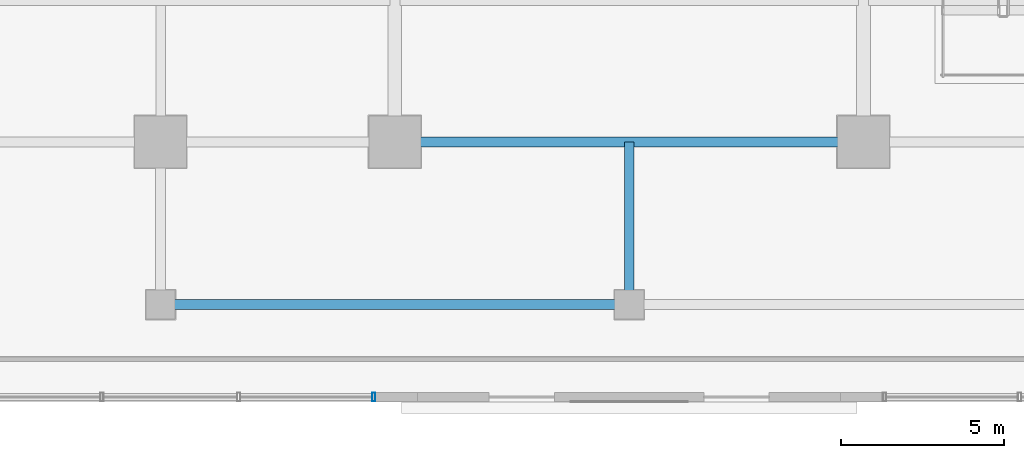
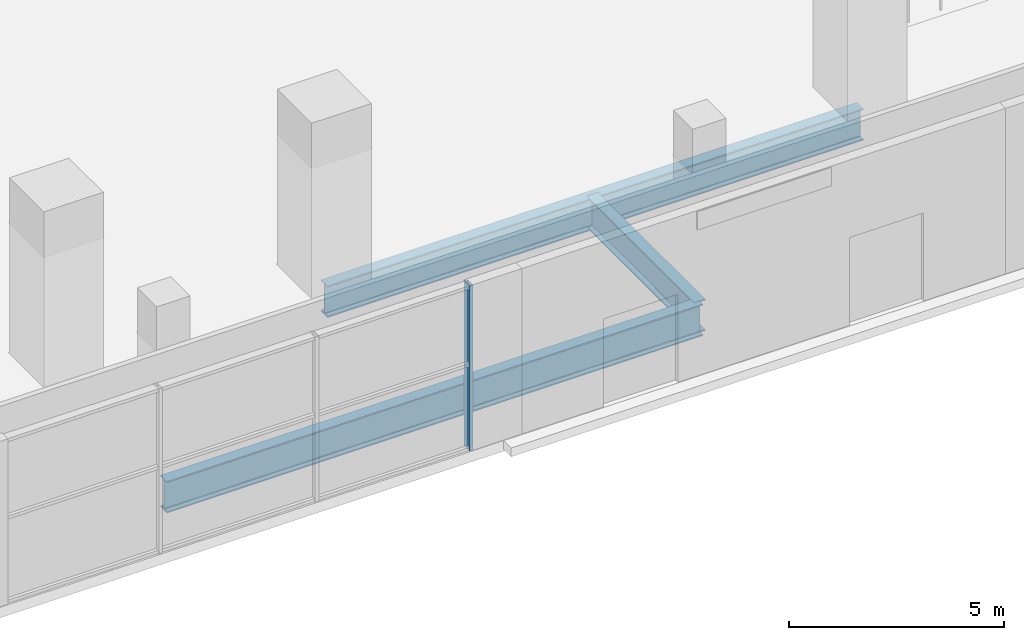
# One storey, part 4 of 27: 3 beams, 1 member, 1 element without a shape of its own.
"""IFC4 building model written with IfcOpenShell, lengths in metres."""

from ifc_helpers import new_model, si_unit, direction, frame, origin, origin_2d, place, context, subcontext, project, spatial, hollow_rectangle, i_section, extrude, source, transform, mapped, material, layer, layer_set, material_profile, profile_set, type_object, element, aggregate, save


model = new_model("IFC4")

# Units and contexts
model_context = context("Model", 3, precision=1e-05, world=origin(), true_north=direction((0.0, 1.0)))
body_context = subcontext(model_context, "Body", "Model", "MODEL_VIEW")
ifc_project = project(units=[si_unit("LENGTHUNIT", "METRE"), si_unit("AREAUNIT", "SQUARE_METRE"), si_unit("VOLUMEUNIT", "CUBIC_METRE"), si_unit("PLANEANGLEUNIT", "RADIAN"), si_unit("MASSUNIT", "GRAM", prefix="KILO")], contexts=[model_context])

# Site, building, storey
site_placement = place(None, origin())
site = spatial("IfcSite", under=ifc_project, at=site_placement, CompositionType="ELEMENT")
building_placement = place(site_placement, origin())
building = spatial("IfcBuilding", under=site, at=building_placement, Name="Zarnakvel Exchange Tower", CompositionType="ELEMENT")
storey_placement = place(building_placement, origin())
storey = spatial("IfcBuildingStorey", under=building, at=storey_placement, Name="L00", CompositionType="ELEMENT", Elevation=0.0)

# Beams
ifc_material_1 = material(Name="Steel S355", Category="steel")
ifc_material_profile_1 = material_profile(ifc_material_1, i_section(OverallWidth=0.300048828125, OverallDepth=0.89990234375, WebThickness=0.0185546875, FlangeThickness=0.034912109375, FilletRadius=0.030029296875, at=origin_2d()))
ifc_profile_set_1 = profile_set([ifc_material_profile_1], Name="Steel S355")
beam_type = type_object("IfcBeamType", Name="G-01", PredefinedType="BEAM", material=ifc_profile_set_1)
for number, where, z_axis, x_axis, name in (
    (1, (-7.199951171875, -18.199951171875, -0.75), (1.0, 0.0, 0.0), (0.0, 1.0, 0.0), "L00 Primary E-W Girder Y=-18.2"),
    (2, (-14.39990234375, -23.199951171875, -0.75), (1.0, 0.0, 0.0), (0.0, 1.0, 0.0), "L00 Primary E-W Girder Y=-23.2"),
):
    element("IfcBeam", number, at=place(storey_placement, frame(where, z_axis=z_axis, x_axis=x_axis)), inside=storey, type_object=beam_type, Name=name, PredefinedType="BEAM", context=body_context, shape_type="SweptSolid", body=[
        extrude(i_section(OverallWidth=0.300048828125, OverallDepth=0.89990234375, WebThickness=0.0185546875, FlangeThickness=0.034912109375, FilletRadius=0.030029296875, at=origin_2d()), origin(), (0.0, 0.0, 1.0), 14.39990234375),
    ])
beam_placement = place(storey_placement, frame((0.0, -23.199951171875, -0.75), z_axis=(0.0, 1.0, 0.0), x_axis=(-1.0, 0.0, 0.0)))
element("IfcBeam", 3, at=beam_placement, inside=storey, type_object=beam_type, Name="L00 Primary N-S Girder X=+0.0 South", PredefinedType="BEAM", context=body_context, shape_type="SweptSolid", body=[
    extrude(i_section(OverallWidth=0.300048828125, OverallDepth=0.89990234375, WebThickness=0.0185546875, FlangeThickness=0.034912109375, FilletRadius=0.030029296875, at=origin_2d()), origin(), (0.0, 0.0, 1.0), 5.0),
])

# Curtain wall, member
ifc_material_2 = material(Name="Architectural Bronze Anodised Aluminium", Category="aluminium")
ifc_layer = layer(ifc_material_2, 0.260009765625)
ifc_layer_set = layer_set([ifc_layer], Name="Architectural Bronze Anodised Aluminium")
curtain_wall_type = type_object("IfcCurtainWallType", Name="CW-01", PredefinedType="NOTDEFINED", material=ifc_layer_set)
curtain_wall_placement = place(storey_placement, origin())
curtain_wall = element("IfcCurtainWall", 4, at=curtain_wall_placement, inside=storey, type_object=curtain_wall_type, Name="L00 Curtain Wall CW-L00-S1 (CW-01)", PredefinedType="NOTDEFINED")
ifc_material_profile_2 = material_profile(ifc_material_2, hollow_rectangle(XDim=0.260009765625, YDim=0.10009765625, WallThickness=0.006103515625, at=origin_2d()))
ifc_profile_set_2 = profile_set([ifc_material_profile_2], Name="Architectural Bronze Anodised Aluminium")
member_type = type_object("IfcMemberType", Name="CWM-01", PredefinedType="MULLION", material=ifc_profile_set_2)
shared_shape = source(origin(), body_context, "Body", "SweptSolid", [
    extrude(hollow_rectangle(XDim=0.260009765625, YDim=0.10009765625, WallThickness=0.006103515625, at=origin_2d()), origin(), (0.0, 0.0, 1.0), 4.679931640625),
])
member_placement = place(storey_placement, frame((-7.85009765625, -26.0400390625, 0.0), z_axis=(0.0, 0.0, 1.0), x_axis=(0.0, 1.0, 0.0)))
member = element("IfcMember", 5, at=member_placement, type_object=member_type, Name="CW-01 mullion 4", PredefinedType="MULLION", context=body_context, shape_type="MappedRepresentation", body=[
    mapped(shared_shape, transform((0.0, 0.0, 0.0), x_axis=(1.0, 0.0, 0.0), y_axis=(0.0, 1.0, 0.0), z_axis=(0.0, 0.0, 1.0), scale=1.0)),
])
aggregate(curtain_wall, [member])

save(model, "model.ifc")
